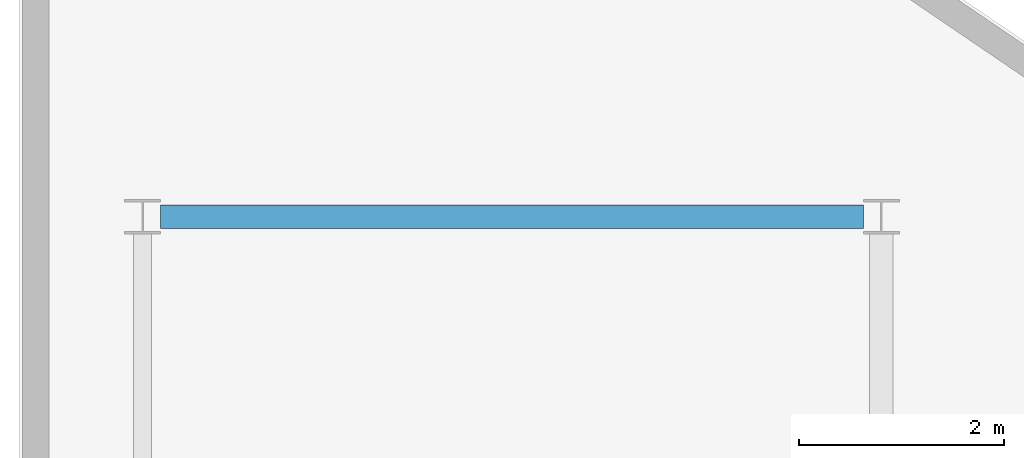
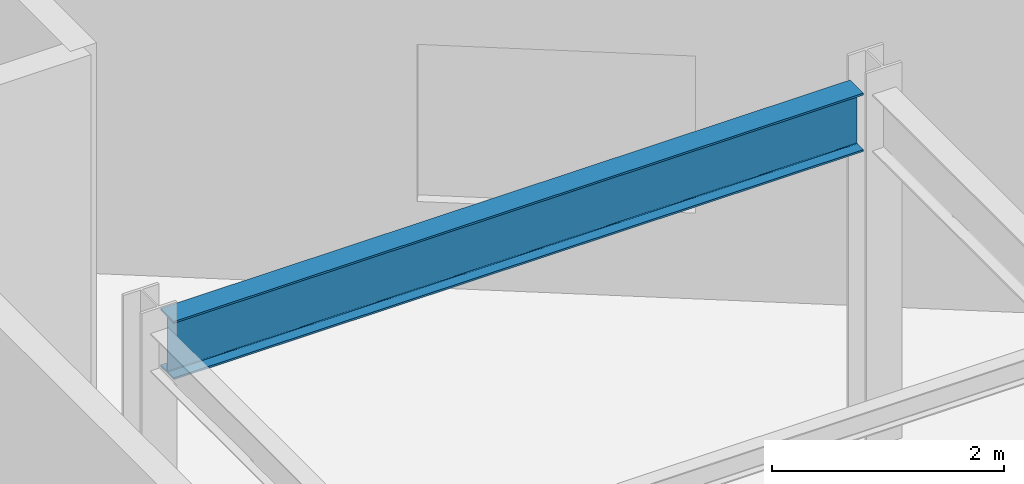
# One storey, part 9 of 20: 1 beam.
"""IFC4 building model written with IfcOpenShell, lengths in metres."""

from ifc_helpers import new_model, si_unit, direction, frame, origin, origin_2d, place, context, subcontext, project, spatial, i_section, extrude, material, material_profile, profile_set, type_object, element, save


model = new_model("IFC4")

# Units and contexts
model_context = context("Model", 3, precision=1e-05, world=origin(), true_north=direction((0.0, 1.0)))
body_context = subcontext(model_context, "Body", "Model", "MODEL_VIEW")
ifc_project = project(units=[si_unit("LENGTHUNIT", "METRE"), si_unit("AREAUNIT", "SQUARE_METRE"), si_unit("VOLUMEUNIT", "CUBIC_METRE"), si_unit("PLANEANGLEUNIT", "RADIAN"), si_unit("MASSUNIT", "GRAM", prefix="KILO")], contexts=[model_context])

# Site, building, storey
site_placement = place(None, origin())
site = spatial("IfcSite", under=ifc_project, at=site_placement, CompositionType="ELEMENT")
building_placement = place(site_placement, origin())
building = spatial("IfcBuilding", under=site, at=building_placement, Name="Varnakote Quay Hospital", CompositionType="ELEMENT")
storey_placement = place(building_placement, frame((0.0, 0.0, 58.050048828125)))
storey = spatial("IfcBuildingStorey", under=building, at=storey_placement, Name="L14", CompositionType="ELEMENT", Elevation=58.050048828125)

# Beam
ifc_material = material(Name="Structural steel AS/NZS 3679.1 Grade 350 L0 (fy 340 MPa)", Category="steel")
ifc_material_profile = material_profile(ifc_material, i_section(OverallWidth=0.22900390625, OverallDepth=0.612060546875, WebThickness=0.011962890625, FlangeThickness=0.01953125, FilletRadius=0.013916015625, at=origin_2d()), Name="610UB125")
ifc_profile_set = profile_set([ifc_material_profile], Name="Structural steel AS/NZS 3679.1 Grade 350 L0 (fy 340 MPa)")
beam_type = type_object("IfcBeamType", Name="BM-STL-610UB125", PredefinedType="BEAM", material=ifc_profile_set)
beam_placement = place(storey_placement, frame((1.375, 37.199951171875, 3.404052734375), z_axis=(1.0, 0.0, 0.0), x_axis=(0.0, 1.0, 0.0)))
element("IfcBeam", 1, at=beam_placement, inside=storey, type_object=beam_type, Name="L14 Primary Floor Beam", PredefinedType="BEAM", context=body_context, shape_type="SweptSolid", body=[
    extrude(i_section(OverallWidth=0.22900390625, OverallDepth=0.612060546875, WebThickness=0.011962890625, FlangeThickness=0.01953125, FilletRadius=0.013916015625, at=origin_2d()), origin(), (0.0, 0.0, 1.0), 6.85009765625),
])

save(model, "model.ifc")
